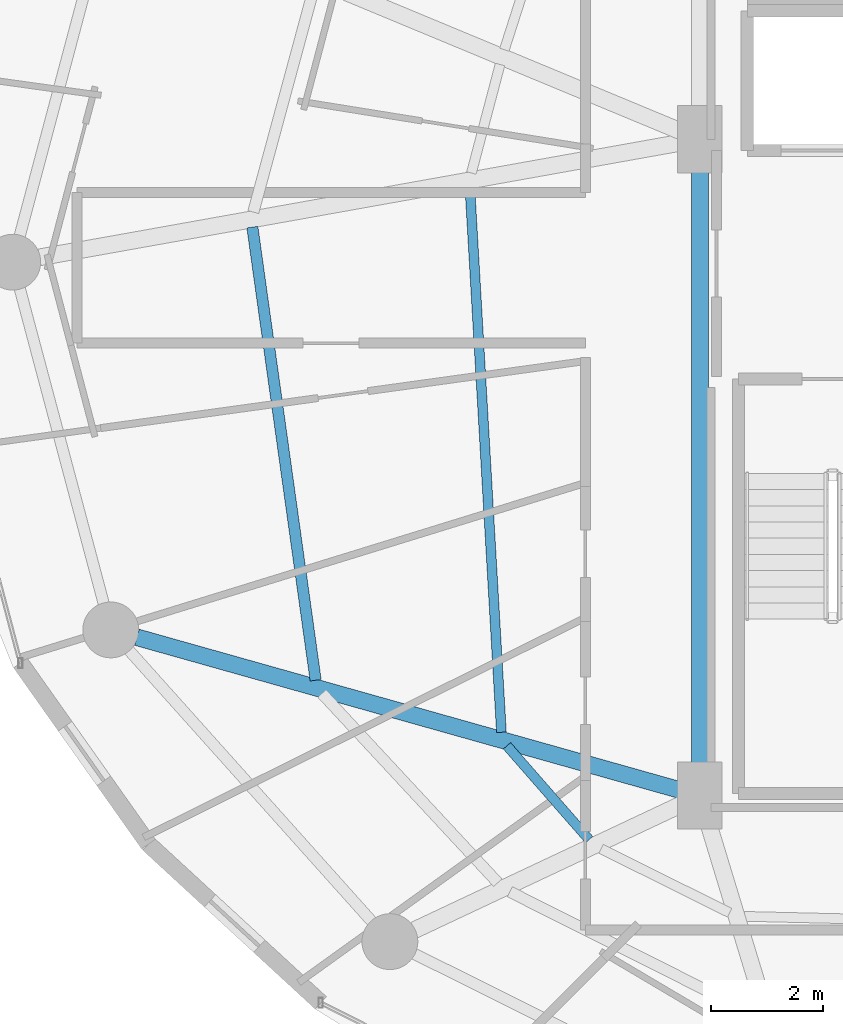
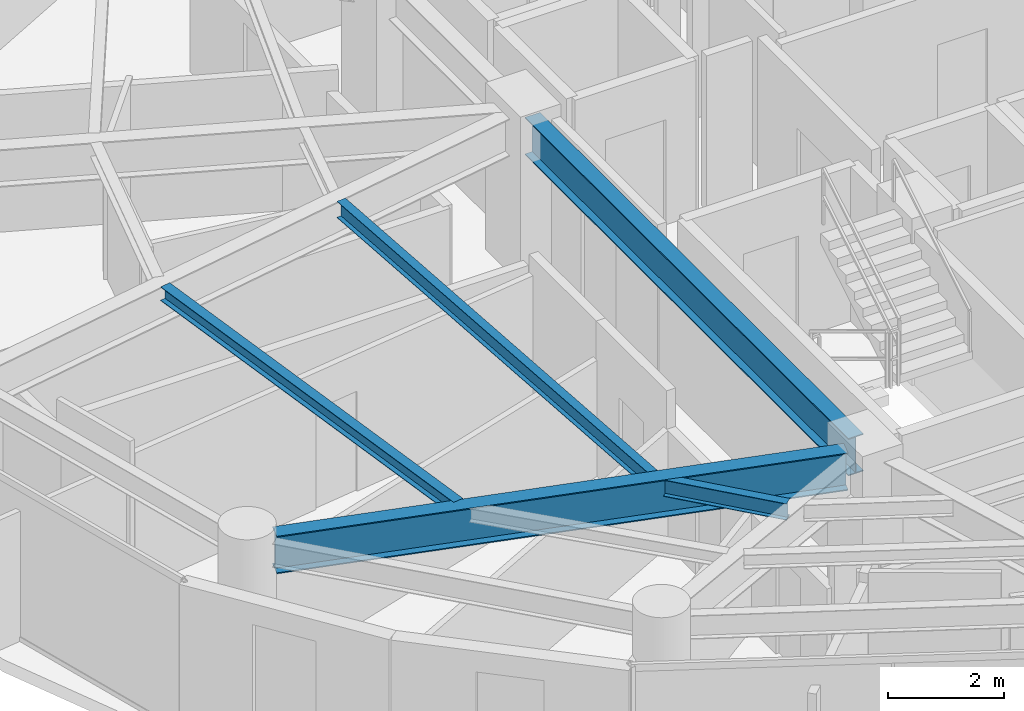
# One storey, part 4 of 29: 5 beams.
"""IFC4 building model written with IfcOpenShell, lengths in metres."""

from ifc_helpers import new_model, si_unit, direction, frame, origin, origin_2d, place, context, subcontext, project, spatial, i_section, extrude, material, material_profile, profile_set, type_object, element, save


model = new_model("IFC4")

# Units and contexts
model_context = context("Model", 3, precision=1e-05, world=origin(), true_north=direction((0.0, 1.0)))
body_context = subcontext(model_context, "Body", "Model", "MODEL_VIEW")
ifc_project = project(units=[si_unit("LENGTHUNIT", "METRE"), si_unit("AREAUNIT", "SQUARE_METRE"), si_unit("VOLUMEUNIT", "CUBIC_METRE"), si_unit("PLANEANGLEUNIT", "RADIAN"), si_unit("MASSUNIT", "GRAM", prefix="KILO")], contexts=[model_context])

# Site, building, storey
site_placement = place(None, origin())
site = spatial("IfcSite", under=ifc_project, at=site_placement, CompositionType="ELEMENT")
building_placement = place(site_placement, origin())
building = spatial("IfcBuilding", under=site, at=building_placement, Name="Vorneva Point Tower", CompositionType="ELEMENT")
storey_placement = place(building_placement, frame((0.0, 0.0, 167.60009765625)))
storey = spatial("IfcBuildingStorey", under=building, at=storey_placement, Name="L45", CompositionType="ELEMENT", Elevation=167.60009765625)

# Beams
ifc_material = material(Name="Steel S355", Category="steel")
ifc_material_profile_1 = material_profile(ifc_material, i_section(OverallWidth=0.300048828125, OverallDepth=0.7880859375, WebThickness=0.014404296875, FlangeThickness=0.02197265625, at=origin_2d()), Name="80Sh1")
ifc_profile_set_1 = profile_set([ifc_material_profile_1], Name="Steel S355")
beam_type_1 = type_object("IfcBeamType", Name="BM-GRD-80Sh1", PredefinedType="USERDEFINED", material=ifc_profile_set_1)
beam_1_placement = place(storey_placement, frame((17.17431640625, 19.28564453125, 2.845947265625), z_axis=(0.96260085362, -0.270923599213, 0.0), x_axis=(0.270923599213, 0.96260085362, 0.0)))
element("IfcBeam", 1, at=beam_1_placement, inside=storey, type_object=beam_type_1, Name="L45 Radial Primary Girder 10", ObjectType="GIRDER", PredefinedType="USERDEFINED", context=body_context, shape_type="SweptSolid", body=[
    extrude(i_section(OverallWidth=0.300048828125, OverallDepth=0.7880859375, WebThickness=0.014404296875, FlangeThickness=0.02197265625, at=origin_2d()), origin(), (0.0, 0.0, 1.0), 10.126953125),
])
beam_2_placement = place(storey_placement, frame((27.25, 16.77001953125, 2.845947265625), z_axis=(0.0, 1.0, 0.0), x_axis=(-1.0, 0.0, 0.0)))
element("IfcBeam", 2, at=beam_2_placement, inside=storey, type_object=beam_type_1, Name="L45 Core Tie Girder CT1", ObjectType="GIRDER", PredefinedType="USERDEFINED", context=body_context, shape_type="SweptSolid", body=[
    extrude(i_section(OverallWidth=0.300048828125, OverallDepth=0.7880859375, WebThickness=0.014404296875, FlangeThickness=0.02197265625, at=origin_2d()), origin(), (0.0, 0.0, 1.0), 11.10986328125),
])
ifc_material_profile_2 = material_profile(ifc_material, i_section(OverallWidth=0.199951171875, OverallDepth=0.291015625, WebThickness=0.008056640625, FlangeThickness=0.010986328125, at=origin_2d()), Name="30Sh1")
ifc_profile_set_2 = profile_set([ifc_material_profile_2], Name="Steel S355")
beam_type_2 = type_object("IfcBeamType", Name="BM-SEC-30Sh1", PredefinedType="BEAM", material=ifc_profile_set_2)
beam_3_placement = place(storey_placement, frame((19.239501953125, 26.627197265625, 3.094482421875), z_axis=(0.13833204721, -0.990385906965, 0.0), x_axis=(0.990385906965, 0.13833204721, 0.0)))
element("IfcBeam", 3, at=beam_3_placement, inside=storey, type_object=beam_type_2, Name="L45 Secondary Floor Beam 1.09", PredefinedType="BEAM", context=body_context, shape_type="SweptSolid", body=[
    extrude(i_section(OverallWidth=0.199951171875, OverallDepth=0.291015625, WebThickness=0.008056640625, FlangeThickness=0.010986328125, at=origin_2d()), origin(), (0.0, 0.0, 1.0), 8.18896484375),
])
ifc_material_profile_3 = material_profile(ifc_material, i_section(OverallWidth=0.174072265625, OverallDepth=0.345947265625, WebThickness=0.006103515625, FlangeThickness=0.009033203125, at=origin_2d()), Name="35B1")
ifc_profile_set_3 = profile_set([ifc_material_profile_3], Name="Steel S355")
beam_type_3 = type_object("IfcBeamType", Name="BM-SEC-35B1", PredefinedType="BEAM", material=ifc_profile_set_3)
beam_4_placement = place(storey_placement, frame((23.13330078125, 27.324462890625, 3.06689453125), z_axis=(0.057859390455, -0.998324742224, 0.0), x_axis=(0.998324742224, 0.057859390455, 0.0)))
element("IfcBeam", 4, at=beam_4_placement, inside=storey, type_object=beam_type_3, Name="L45 Secondary Floor Beam 2.09", PredefinedType="BEAM", context=body_context, shape_type="SweptSolid", body=[
    extrude(i_section(OverallWidth=0.174072265625, OverallDepth=0.345947265625, WebThickness=0.006103515625, FlangeThickness=0.009033203125, at=origin_2d()), origin(), (0.0, 0.0, 1.0), 9.755615234375),
])
beam_5_placement = place(storey_placement, frame((23.796630859375, 17.343505859375, 3.06689453125), z_axis=(0.658705826659, -0.752400580758, 0.0), x_axis=(0.752400580758, 0.658705826659, 0.0)))
element("IfcBeam", 5, at=beam_5_placement, inside=storey, type_object=beam_type_3, Name="L45 Secondary Floor Beam 2.10", PredefinedType="BEAM", context=body_context, shape_type="SweptSolid", body=[
    extrude(i_section(OverallWidth=0.174072265625, OverallDepth=0.345947265625, WebThickness=0.006103515625, FlangeThickness=0.009033203125, at=origin_2d()), origin(), (0.0, 0.0, 1.0), 2.233154296875),
])

save(model, "model.ifc")
